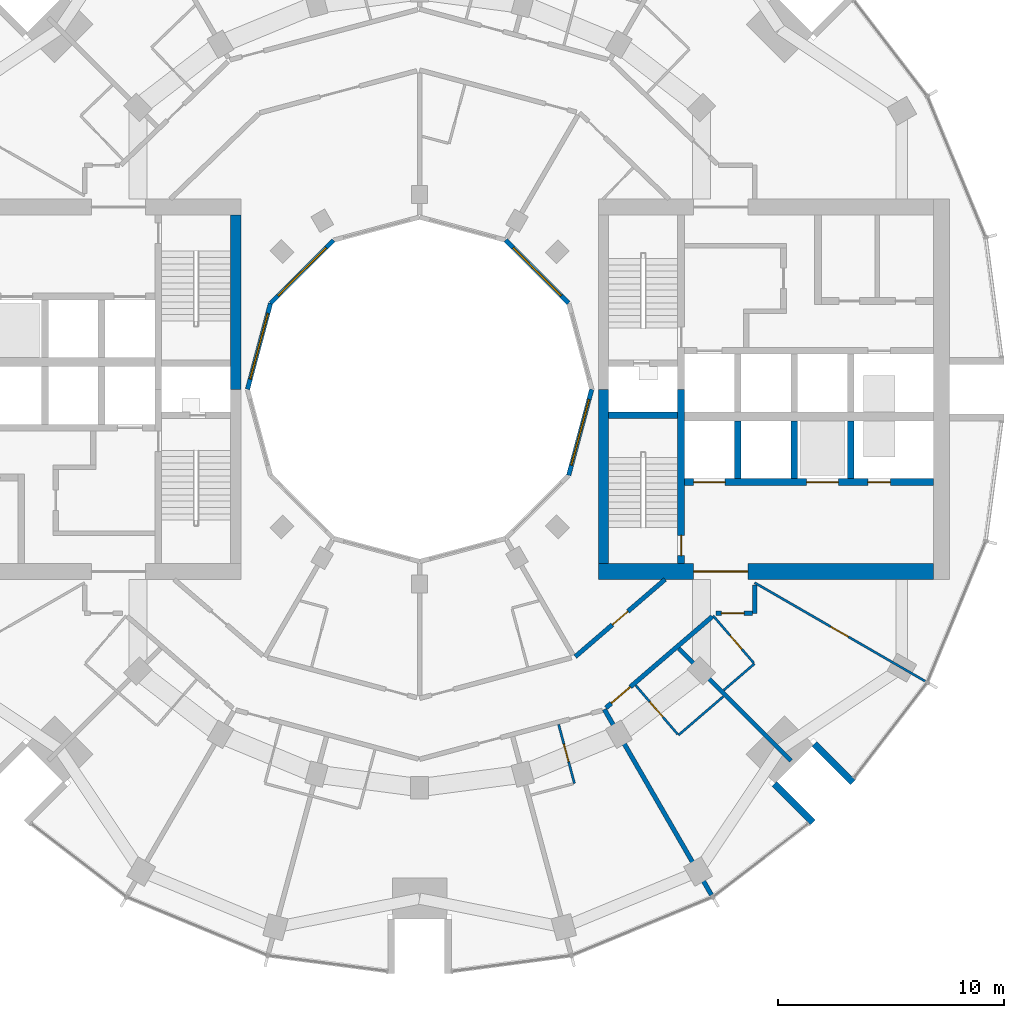
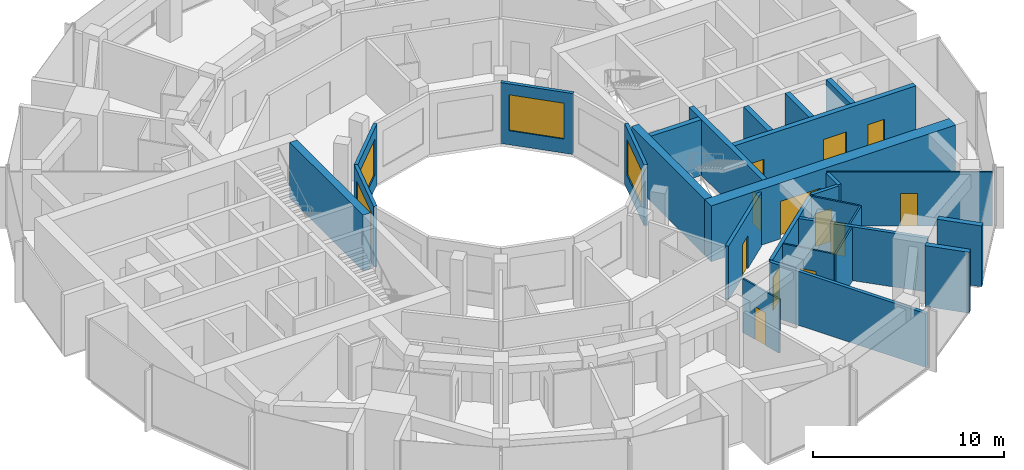
# One storey, part 10 of 15: 27 walls, 12 doors, 4 windows, 16 openings.
"""IFC4 building model written with IfcOpenShell, lengths in metres."""

import ifcopenshell
import ifcopenshell.guid

model = None  # the IFC model being written
_history = None  # IfcOwnerHistory: only IFC2X3 demands one
_inside = {}  # id of a spatial element -> (the spatial element, [elements in it])
_under = {}  # id of a project, library or spatial element -> (it, [spatial elements below it])
_declared = {}  # id of a project -> (the project, [libraries it declares])
_typed = {}  # id of a type object -> (the type object, [elements of that type])
_made_of = {}  # id of a material, layer set ... -> (it, [elements and type objects made of it])


def new_model(schema):
    """Start an empty IFC model of exactly this schema.

    Asked for "IFC4X3", IfcOpenShell would pick the latest addendum, in which some entities
    have other attributes; the version numbers below select the first issue.
    IFC2X3 requires an IfcOwnerHistory on every rooted entity: one is made here for all.
    """
    global model, _history
    if schema == "IFC4X3":
        model = ifcopenshell.file(schema_version=(4, 3, 0, 0))
    else:
        model = ifcopenshell.file(schema=schema)
    _inside.clear()
    _under.clear()
    _declared.clear()
    _typed.clear()
    _made_of.clear()
    _history = None
    if model.schema == "IFC2X3":
        org = make("IfcOrganization", Name="unknown")
        user = make(
            "IfcPersonAndOrganization",
            ThePerson=make("IfcPerson", FamilyName="unknown"),
            TheOrganization=org,
        )
        app = make(
            "IfcApplication",
            ApplicationDeveloper=org,
            Version="unknown",
            ApplicationFullName="unknown",
            ApplicationIdentifier="unknown",
        )
        _history = make(
            "IfcOwnerHistory",
            OwningUser=user,
            OwningApplication=app,
            ChangeAction="ADDED",
            CreationDate=0,
        )
    return model


def make(cls, **values):
    """One entity of the class cls with the attributes given. An attribute that is None is left unset."""
    return model.create_entity(
        cls, **{name: value for name, value in values.items() if value is not None}
    )


def rooted(cls, **values):
    """An entity with a GlobalId (a new one), such as an element, a storey or a relation."""
    return make(cls, GlobalId=ifcopenshell.guid.new(), OwnerHistory=_history, **values)


def si_unit(unit_type, name, prefix=None):
    """IfcSIUnit, for example si_unit("LENGTHUNIT", "METRE", prefix="MILLI")."""
    return make("IfcSIUnit", UnitType=unit_type, Prefix=prefix, Name=name)


def assignment(units):
    """IfcUnitAssignment: the units of a project."""
    return None if units is None else make("IfcUnitAssignment", Units=units)


def point(xyz):
    """IfcCartesianPoint."""
    return None if xyz is None else make("IfcCartesianPoint", Coordinates=xyz)


def direction(xyz):
    """IfcDirection."""
    return None if xyz is None else make("IfcDirection", DirectionRatios=xyz)


def frame(location, z_axis=None, x_axis=None):
    """IfcAxis2Placement3D, a coordinate frame: its origin and axes. An axis left out is left unset."""
    return make(
        "IfcAxis2Placement3D",
        Location=point(location),
        Axis=direction(z_axis),
        RefDirection=direction(x_axis),
    )


def frame_2d(location, x_axis=None):
    """IfcAxis2Placement2D, a coordinate frame in the plane: its origin and x axis."""
    return make(
        "IfcAxis2Placement2D", Location=point(location), RefDirection=direction(x_axis)
    )


def origin():
    """The frame at (0, 0, 0) with its axes left unset."""
    return frame((0.0, 0.0, 0.0))


def place(relative_to, where):
    """IfcLocalPlacement: puts the frame where relative to a parent placement (None: the world)."""
    return make(
        "IfcLocalPlacement", PlacementRelTo=relative_to, RelativePlacement=where
    )


def context(
    kind, dimensions, precision=None, world=None, true_north=None, identifier=None
):
    """IfcGeometricRepresentationContext, for example the 3D "Model" context."""
    return make(
        "IfcGeometricRepresentationContext",
        ContextIdentifier=identifier,
        ContextType=kind,
        CoordinateSpaceDimension=dimensions,
        Precision=precision,
        WorldCoordinateSystem=world,
        TrueNorth=true_north,
    )


def subcontext(parent, identifier, kind, view, scale=None):
    """IfcGeometricRepresentationSubContext, for example "Body" below "Model"."""
    return make(
        "IfcGeometricRepresentationSubContext",
        ContextIdentifier=identifier,
        ContextType=kind,
        ParentContext=parent,
        TargetScale=scale,
        TargetView=view,
    )


def project(units=None, contexts=None):
    """IfcProject with its units and contexts."""
    return rooted(
        "IfcProject",
        Name="project",
        RepresentationContexts=contexts,
        UnitsInContext=assignment(units),
    )


def spatial(cls, under=None, at=None, **own):
    """A site, building, storey or space (cls), placed at a placement, below another one or the project."""
    s = rooted(cls, ObjectPlacement=at, **own)
    if under is not None:
        _under.setdefault(under.id(), (under, []))[1].append(s)
    return s


def profile(cls, at=None, kind="AREA", **sizes):
    """A parametric profile (cls). Its sizes go by their IFC names, for example OverallWidth=200.0."""
    return make(cls, ProfileType=kind, Position=at, **sizes)


def rectangle(**sizes):
    """IfcRectangleProfileDef."""
    return profile("IfcRectangleProfileDef", **sizes)


def extrude(swept, where, along, depth):
    """IfcExtrudedAreaSolid: the profile swept, set in the frame where, extruded along a direction by depth."""
    return make(
        "IfcExtrudedAreaSolid",
        SweptArea=swept,
        Position=where,
        ExtrudedDirection=direction(along),
        Depth=depth,
    )


def shape(context_of_items, identifier, shape_type, items):
    """IfcShapeRepresentation: the items that make up one representation, for example the "Body"."""
    return make(
        "IfcShapeRepresentation",
        ContextOfItems=context_of_items,
        RepresentationIdentifier=identifier,
        RepresentationType=shape_type,
        Items=items,
    )


def material(Name=None, Category=None):
    """IfcMaterial."""
    return make("IfcMaterial", Name=Name, Category=Category)


def layer(
    of_material, thickness, ventilated=None, Name=None, Category=None, Priority=None
):
    """IfcMaterialLayer: one layer of a wall or slab, of a material (None: an air gap)."""
    return make(
        "IfcMaterialLayer",
        Material=of_material,
        LayerThickness=thickness,
        IsVentilated=ventilated,
        Name=Name,
        Category=Category,
        Priority=Priority,
    )


def layer_set(layers, Name=None):
    """IfcMaterialLayerSet."""
    return make("IfcMaterialLayerSet", MaterialLayers=layers, LayerSetName=Name)


def made_of(thing, what):
    """Note that an element or type object is made of a material, layer set ...; save() writes the relation."""
    if what is not None:
        _made_of.setdefault(what.id(), (what, []))[1].append(thing)
    return thing


def type_object(cls, material=None, **own):
    """A type object (cls), such as IfcWallType, which elements share."""
    return made_of(rooted(cls, **own), material)


def element(
    cls,
    number,
    at=None,
    inside=None,
    cuts=None,
    type_object=None,
    material=None,
    context=None,
    identifier="Body",
    shape_type=None,
    held_by="IfcProductDefinitionShape",
    body=None,
    shapes=None,
    **own,
):
    """One element of the class cls, such as IfcWall. Its Tag is "e" and its number.

    at: its placement. inside: the storey or other place that contains it. cuts: it is an
    opening in that element (IfcRelVoidsElement). A single representation is given by context,
    identifier, shape_type and body (its items); several are given by shapes. held_by: the class
    of the entity that holds the representations. save() writes the other relations.
    """
    e = rooted(cls, Tag="e%d" % number, ObjectPlacement=at, **own)
    if body is not None:
        shapes = [shape(context, identifier, shape_type, body)]
    if shapes is not None:
        e.Representation = make(held_by, Representations=shapes)
    if inside is not None:
        _inside.setdefault(inside.id(), (inside, []))[1].append(e)
    if cuts is not None:
        rooted(
            "IfcRelVoidsElement", RelatingBuildingElement=cuts, RelatedOpeningElement=e
        )
    if type_object is not None:
        _typed.setdefault(type_object.id(), (type_object, []))[1].append(e)
    return made_of(e, material)


def fill(opening, filler):
    """IfcRelFillsElement: the door or window that sits in an opening."""
    return rooted(
        "IfcRelFillsElement",
        RelatingOpeningElement=opening,
        RelatedBuildingElement=filler,
    )


def aggregate(whole, parts):
    """IfcRelAggregates: a whole, such as a stair, and the parts it consists of."""
    return rooted("IfcRelAggregates", RelatingObject=whole, RelatedObjects=parts)


def save(model, path):
    """Write the relations noted so far, then the file.

    IfcRelAggregates (storeys below a building ...), IfcRelContainedInSpatialStructure (elements
    in a storey), IfcRelDefinesByType, IfcRelAssociatesMaterial and IfcRelDeclares: one each for
    every whole, place, type object, material and project.
    """
    for whole, parts in _under.values():
        aggregate(whole, parts)
    for where, things in _inside.values():
        rooted(
            "IfcRelContainedInSpatialStructure",
            RelatedElements=things,
            RelatingStructure=where,
        )
    for kind, things in _typed.values():
        rooted("IfcRelDefinesByType", RelatedObjects=things, RelatingType=kind)
    for what, things in _made_of.values():
        rooted("IfcRelAssociatesMaterial", RelatedObjects=things, RelatingMaterial=what)
    for by, libraries in _declared.values():
        rooted("IfcRelDeclares", RelatingContext=by, RelatedDefinitions=libraries)
    model.write(path)


model = new_model("IFC4")

# Units and contexts
model_context = context("Model", 3, precision=1e-05, world=origin(), true_north=direction((0.0, 1.0)))
body_context = subcontext(model_context, "Body", "Model", "MODEL_VIEW")
ifc_project = project(units=[si_unit("LENGTHUNIT", "METRE"), si_unit("AREAUNIT", "SQUARE_METRE"), si_unit("VOLUMEUNIT", "CUBIC_METRE"), si_unit("PLANEANGLEUNIT", "RADIAN"), si_unit("MASSUNIT", "GRAM", prefix="KILO")], contexts=[model_context])

# Site, building, storey
site_placement = place(None, origin())
site = spatial("IfcSite", under=ifc_project, at=site_placement, CompositionType="ELEMENT")
building_placement = place(site_placement, origin())
building = spatial("IfcBuilding", under=site, at=building_placement, Name="Torre Brocal", CompositionType="ELEMENT")
storey_placement = place(building_placement, frame((0.0, 0.0, 118.5)))
storey = spatial("IfcBuildingStorey", under=building, at=storey_placement, Name="L27", CompositionType="ELEMENT", Elevation=118.5)

# Wall, opening, door
ifc_material_1 = material(Name="Concrete C70", Category="concrete")
ifc_layer_1 = layer(ifc_material_1, 0.300048828125)
ifc_layer_set_1 = layer_set([ifc_layer_1], Name="Concrete C70")
wall_type_1 = type_object("IfcWallType", Name="CORE WALL 300 C70", PredefinedType="SHEAR", material=ifc_layer_set_1)
wall_1_placement = place(storey_placement, frame((91.550048828125, 67.300048828125, 0.0), z_axis=(0.0, 0.0, 1.0), x_axis=(0.0, 1.0, 0.0)))
wall_1 = element("IfcWall", 1, at=wall_1_placement, inside=storey, type_object=wall_type_1, Name="Wall CW300-70", PredefinedType="SHEAR", context=body_context, shape_type="SweptSolid", body=[
    extrude(rectangle(XDim=7.699951171875, YDim=0.300048828125, at=frame_2d((3.85009765625, 0.0))), origin(), (0.0, 0.0, 1.0), 3.580078125),
])
opening_1_placement = place(wall_1_placement, frame((0.35009765625, 0.0, 0.0)))
opening_1 = element("IfcOpeningElement", 2, at=opening_1_placement, cuts=wall_1, Name="Opening E-D03", PredefinedType="OPENING", context=body_context, shape_type="SweptSolid", body=[
    extrude(rectangle(XDim=0.89990234375, YDim=2.10009765625, at=frame_2d((0.449951171875, 1.050048828125))), frame((0.0, 0.159912109375, 0.0), z_axis=(0.0, -1.0, 0.0), x_axis=(1.0, 0.0, 0.0)), (0.0, 0.0, 1.0), 0.320068359375),
])
ifc_material_2 = material(Name="Steel A653", Category="steel")
door_type_1 = type_object("IfcDoorType", Name="STAIR DOOR FD120 900X2100", OperationType="SINGLE_SWING_RIGHT", PredefinedType="DOOR", material=ifc_material_2)
door_1_placement = place(opening_1_placement, origin())
door_1 = element("IfcDoor", 3, at=door_1_placement, inside=storey, type_object=door_type_1, Name="Door E-D03", OperationType="SINGLE_SWING_LEFT", OverallHeight=2.10009765625, OverallWidth=0.89990234375, PredefinedType="DOOR", context=body_context, shape_type="SweptSolid", body=[
    extrude(rectangle(XDim=0.89990234375, YDim=2.10009765625, at=frame_2d((0.449951171875, 1.050048828125))), frame((0.0, 0.02490234375, 0.0), z_axis=(0.0, -1.0, 0.0), x_axis=(1.0, 0.0, 0.0)), (0.0, 0.0, 1.0), 0.050048828125),
])
fill(opening_1, door_1)

# Wall
wall_2_placement = place(storey_placement, frame((88.35009765625, 73.85009765625, 0.0), z_axis=(0.0, 0.0, 1.0), x_axis=(1.0, 0.0, 0.0)))
element("IfcWall", 4, at=wall_2_placement, inside=storey, type_object=wall_type_1, Name="Wall CW300-70", PredefinedType="SHEAR", context=body_context, shape_type="SweptSolid", body=[
    extrude(rectangle(XDim=3.0498046875, YDim=0.300048828125, at=frame_2d((1.52490234375, 0.0))), origin(), (0.0, 0.0, 1.0), 3.580078125),
])

# Wall, openings, doors
wall_3_placement = place(storey_placement, frame((91.699951171875, 70.89990234375, 0.0), z_axis=(0.0, 0.0, 1.0), x_axis=(1.0, 0.0, 0.0)))
wall_3 = element("IfcWall", 5, at=wall_3_placement, inside=storey, type_object=wall_type_1, Name="Wall CW300-70", PredefinedType="SHEAR", context=body_context, shape_type="SweptSolid", body=[
    extrude(rectangle(XDim=11.0, YDim=0.300048828125, at=frame_2d((5.5, 0.0))), origin(), (0.0, 0.0, 1.0), 3.580078125),
])
opening_2_placement = place(wall_3_placement, frame((0.39990234375, 0.0, 0.0)))
opening_2 = element("IfcOpeningElement", 6, at=opening_2_placement, cuts=wall_3, Name="Opening LD14", PredefinedType="OPENING", context=body_context, shape_type="SweptSolid", body=[
    extrude(rectangle(XDim=1.39990234375, YDim=2.10009765625, at=frame_2d((0.699951171875, 1.050048828125))), frame((0.0, 0.159912109375, 0.0), z_axis=(0.0, -1.0, 0.0), x_axis=(1.0, 0.0, 0.0)), (0.0, 0.0, 1.0), 0.320068359375),
])
opening_3_placement = place(wall_3_placement, frame((5.39990234375, 0.0, 0.0)))
opening_3 = element("IfcOpeningElement", 7, at=opening_3_placement, cuts=wall_3, Name="Opening LD14", PredefinedType="OPENING", context=body_context, shape_type="SweptSolid", body=[
    extrude(rectangle(XDim=1.39990234375, YDim=2.10009765625, at=frame_2d((0.699951171875, 1.050048828125))), frame((0.0, 0.159912109375, 0.0), z_axis=(0.0, -1.0, 0.0), x_axis=(1.0, 0.0, 0.0)), (0.0, 0.0, 1.0), 0.320068359375),
])
opening_4_placement = place(wall_3_placement, frame((8.10009765625, 0.0, 0.0)))
opening_4 = element("IfcOpeningElement", 8, at=opening_4_placement, cuts=wall_3, Name="Opening LD10", PredefinedType="OPENING", context=body_context, shape_type="SweptSolid", body=[
    extrude(rectangle(XDim=1.0, YDim=2.10009765625, at=frame_2d((0.5, 1.050048828125))), frame((0.0, 0.159912109375, 0.0), z_axis=(0.0, -1.0, 0.0), x_axis=(1.0, 0.0, 0.0)), (0.0, 0.0, 1.0), 0.320068359375),
])
ifc_material_3 = material(Name="Stainless steel AISI 316", Category="steel")
door_type_2 = type_object("IfcDoorType", Name="LIFT LANDING DOOR 1000X2100", OperationType="DOUBLE_DOOR_SLIDING", PredefinedType="DOOR", material=ifc_material_3)
door_2_placement = place(opening_4_placement, origin())
door_2 = element("IfcDoor", 9, at=door_2_placement, inside=storey, type_object=door_type_2, Name="Door LD10", OperationType="DOUBLE_DOOR_SLIDING", OverallHeight=2.10009765625, OverallWidth=1.0, PredefinedType="DOOR", context=body_context, shape_type="SweptSolid", body=[
    extrude(rectangle(XDim=1.0, YDim=2.10009765625, at=frame_2d((0.5, 1.050048828125))), frame((0.0, 0.02490234375, 0.0), z_axis=(0.0, -1.0, 0.0), x_axis=(1.0, 0.0, 0.0)), (0.0, 0.0, 1.0), 0.050048828125),
])
fill(opening_4, door_2)
ifc_material_4 = material(Name="Stainless steel AISI 316", Category="steel")
door_type_3 = type_object("IfcDoorType", Name="LIFT LANDING DOOR 1400X2100", OperationType="DOUBLE_DOOR_SLIDING", PredefinedType="DOOR", material=ifc_material_4)
door_3_placement = place(opening_2_placement, origin())
door_3 = element("IfcDoor", 10, at=door_3_placement, inside=storey, type_object=door_type_3, Name="Door LD14", OperationType="DOUBLE_DOOR_SLIDING", OverallHeight=2.10009765625, OverallWidth=1.39990234375, PredefinedType="DOOR", context=body_context, shape_type="SweptSolid", body=[
    extrude(rectangle(XDim=1.39990234375, YDim=2.10009765625, at=frame_2d((0.699951171875, 1.050048828125))), frame((0.0, 0.02490234375, 0.0), z_axis=(0.0, -1.0, 0.0), x_axis=(1.0, 0.0, 0.0)), (0.0, 0.0, 1.0), 0.050048828125),
])
fill(opening_2, door_3)
door_4_placement = place(opening_3_placement, origin())
door_4 = element("IfcDoor", 11, at=door_4_placement, inside=storey, type_object=door_type_3, Name="Door LD14", OperationType="DOUBLE_DOOR_SLIDING", OverallHeight=2.10009765625, OverallWidth=1.39990234375, PredefinedType="DOOR", context=body_context, shape_type="SweptSolid", body=[
    extrude(rectangle(XDim=1.39990234375, YDim=2.10009765625, at=frame_2d((0.699951171875, 1.050048828125))), frame((0.0, 0.02490234375, 0.0), z_axis=(0.0, -1.0, 0.0), x_axis=(1.0, 0.0, 0.0)), (0.0, 0.0, 1.0), 0.050048828125),
])
fill(opening_3, door_4)

# Walls
for number, where, z_axis, x_axis, name in (
    (12, (94.050048828125, 71.050048828125, 0.0), (0.0, 0.0, 1.0), (0.0, 1.0, 0.0), "Wall CW300-70"),
    (13, (96.550048828125, 71.050048828125, 0.0), (0.0, 0.0, 1.0), (0.0, 1.0, 0.0), "Wall CW300-70"),
    (14, (99.050048828125, 71.050048828125, 0.0), (0.0, 0.0, 1.0), (0.0, 1.0, 0.0), "Wall CW300-70"),
):
    element("IfcWall", number, at=place(storey_placement, frame(where, z_axis=z_axis, x_axis=x_axis)), inside=storey, type_object=wall_type_1, Name=name, PredefinedType="SHEAR", context=body_context, shape_type="SweptSolid", body=[
        extrude(rectangle(XDim=2.550048828125, YDim=0.300048828125, at=frame_2d((1.27490234375, 0.0))), origin(), (0.0, 0.0, 1.0), 3.580078125),
    ])
ifc_material_5 = material(Name="Concrete C70", Category="concrete")
ifc_layer_2 = layer(ifc_material_5, 0.449951171875)
ifc_layer_set_2 = layer_set([ifc_layer_2], Name="Concrete C70")
wall_type_2 = type_object("IfcWallType", Name="CORE WALL 450 C70", PredefinedType="SHEAR", material=ifc_layer_set_2)
for number, where, z_axis, x_axis, name in (
    (15, (88.125, 67.300048828125, 0.0), (0.0, 0.0, 1.0), (0.0, 1.0, 0.0), "Wall CW450-70"),
    (16, (71.875, 82.699951171875, 0.0), (0.0, 0.0, 1.0), (0.0, -1.0, 0.0), "Wall CW450-70"),
):
    element("IfcWall", number, at=place(storey_placement, frame(where, z_axis=z_axis, x_axis=x_axis)), inside=storey, type_object=wall_type_2, Name=name, PredefinedType="SHEAR", context=body_context, shape_type="SweptSolid", body=[
        extrude(rectangle(XDim=7.699951171875, YDim=0.449951171875, at=frame_2d((3.85009765625, 0.0))), origin(), (0.0, 0.0, 1.0), 3.580078125),
    ])

# Wall, opening, door
ifc_material_6 = material(Name="Concrete C70", Category="concrete")
ifc_layer_3 = layer(ifc_material_6, 0.699951171875)
ifc_layer_set_3 = layer_set([ifc_layer_3], Name="Concrete C70")
wall_type_3 = type_object("IfcWallType", Name="CORE WALL 700 C70", PredefinedType="SHEAR", material=ifc_layer_set_3)
wall_4_placement = place(storey_placement, frame((87.89990234375, 66.949951171875, 0.0), z_axis=(0.0, 0.0, 1.0), x_axis=(1.0, 0.0, 0.0)))
wall_4 = element("IfcWall", 17, at=wall_4_placement, inside=storey, type_object=wall_type_3, Name="Wall CW700-70", PredefinedType="SHEAR", context=body_context, shape_type="SweptSolid", body=[
    extrude(rectangle(XDim=14.800048828125, YDim=0.699951171875, at=frame_2d((7.39990234375, 0.0))), origin(), (0.0, 0.0, 1.0), 3.580078125),
])
opening_5_placement = place(wall_4_placement, frame((4.199951171875, 0.0, 0.0)))
opening_5 = element("IfcOpeningElement", 18, at=opening_5_placement, cuts=wall_4, Name="Opening E-D27", PredefinedType="OPENING", context=body_context, shape_type="SweptSolid", body=[
    extrude(rectangle(XDim=2.39990234375, YDim=2.39990234375, at=frame_2d((1.199951171875, 1.199951171875))), frame((0.0, 0.35986328125, 0.0), z_axis=(0.0, -1.0, 0.0), x_axis=(1.0, 0.0, 0.0)), (0.0, 0.0, 1.0), 0.719970703125),
])
ifc_material_7 = material(Name="Steel A653", Category="steel")
door_type_4 = type_object("IfcDoorType", Name="DOUBLE FIRE DOOR FD90 2400X2400", OperationType="DOUBLE_DOOR_SINGLE_SWING", PredefinedType="DOOR", material=ifc_material_7)
door_5_placement = place(opening_5_placement, origin())
door_5 = element("IfcDoor", 19, at=door_5_placement, inside=storey, type_object=door_type_4, Name="Door E-D27", OperationType="DOUBLE_DOOR_SINGLE_SWING", OverallHeight=2.39990234375, OverallWidth=2.39990234375, PredefinedType="DOOR", context=body_context, shape_type="SweptSolid", body=[
    extrude(rectangle(XDim=2.39990234375, YDim=2.39990234375, at=frame_2d((1.199951171875, 1.199951171875))), frame((0.0, 0.02490234375, 0.0), z_axis=(0.0, -1.0, 0.0), x_axis=(1.0, 0.0, 0.0)), (0.0, 0.0, 1.0), 0.050048828125),
])
fill(opening_5, door_5)

# Walls
ifc_material_8 = material(Name="Concrete C70", Category="concrete")
ifc_layer_4 = layer(ifc_material_8, 0.300048828125)
ifc_layer_set_4 = layer_set([ifc_layer_4], Name="Concrete C70")
wall_type_4 = type_object("IfcWallType", Name="NOTCH RETURN WALL 300 C70", PredefinedType="NOTDEFINED", material=ifc_layer_set_4)
for number, where, z_axis, x_axis, name in (
    (20, (95.662353515625, 57.56982421875, 0.0), (0.0, 0.0, 1.0), (0.707106781187, -0.707106781187, 0.0), "NOTCH RETURN WALL"),
    (21, (97.43017578125, 59.337646484375, 0.0), (0.0, 0.0, 1.0), (0.707106781187, -0.707106781187, 0.0), "NOTCH RETURN WALL"),
):
    element("IfcWall", number, at=place(storey_placement, frame(where, z_axis=z_axis, x_axis=x_axis)), inside=storey, type_object=wall_type_4, Name=name, PredefinedType="NOTDEFINED", context=body_context, shape_type="SweptSolid", body=[
        extrude(rectangle(XDim=2.415771484375, YDim=0.300048828125, at=frame_2d((1.2080078125, 0.0))), origin(), (0.0, 0.0, 1.0), 3.89990234375),
    ])

# Wall, opening, door
ifc_material_9 = material(Name="Gypsum board", Category="Gypsum")
ifc_layer_5 = layer(ifc_material_9, 0.10009765625)
ifc_layer_set_5 = layer_set([ifc_layer_5], Name="Gypsum board")
wall_type_5 = type_object("IfcWallType", Name="PARTITION 100", PredefinedType="PARTITIONING", material=ifc_layer_set_5)
wall_5_placement = place(storey_placement, frame((86.139892578125, 60.196044921875, 0.0), z_axis=(0.0, 0.0, 1.0), x_axis=(0.258945475746, -0.965891940432, 0.0)))
wall_5 = element("IfcWall", 22, at=wall_5_placement, inside=storey, type_object=wall_type_5, Name="BATHROOM WALL", PredefinedType="PARTITIONING", context=body_context, shape_type="SweptSolid", body=[
    extrude(rectangle(XDim=2.7001953125, YDim=0.10009765625, at=frame_2d((1.35009765625, 0.0))), origin(), (0.0, 0.0, 1.0), 3.449951171875),
])
opening_6_placement = place(wall_5_placement, frame((0.89990234375, 0.0, 0.0)))
opening_6 = element("IfcOpeningElement", 23, at=opening_6_placement, cuts=wall_5, Name="Opening E01-D25", PredefinedType="OPENING", context=body_context, shape_type="SweptSolid", body=[
    extrude(rectangle(XDim=0.800048828125, YDim=2.10009765625, at=frame_2d((0.39990234375, 1.050048828125))), frame((0.0, 0.06005859375, 0.0), z_axis=(0.0, -1.0, 0.0), x_axis=(1.0, 0.0, 0.0)), (0.0, 0.0, 1.0), 0.1201171875),
])
ifc_material_10 = material(Name="Timber", Category="wood")
door_type_5 = type_object("IfcDoorType", Name="BATHROOM DOOR 800X2100", OperationType="SINGLE_SWING_LEFT", PredefinedType="DOOR", material=ifc_material_10)
door_6_placement = place(opening_6_placement, frame((0.800048828125, 0.0, 0.0), z_axis=(0.0, 0.0, 1.0), x_axis=(-1.0, 0.0, 0.0)))
door_6 = element("IfcDoor", 24, at=door_6_placement, inside=storey, type_object=door_type_5, Name="E01-D25", OperationType="SINGLE_SWING_RIGHT", OverallHeight=2.10009765625, OverallWidth=0.800048828125, PredefinedType="DOOR", context=body_context, shape_type="SweptSolid", body=[
    extrude(rectangle(XDim=0.800048828125, YDim=2.10009765625, at=frame_2d((0.39990234375, 1.050048828125))), frame((0.0, 0.02490234375, 0.0), z_axis=(0.0, -1.0, 0.0), x_axis=(1.0, 0.0, 0.0)), (0.0, 0.0, 1.0), 0.050048828125),
])
fill(opening_6, door_6)

wall_6_placement = place(storey_placement, frame((89.543212890625, 61.9208984375, 0.0), z_axis=(0.0, 0.0, 1.0), x_axis=(0.651996917864, -0.758221616083, 0.0)))
wall_6 = element("IfcWall", 25, at=wall_6_placement, inside=storey, type_object=wall_type_5, Name="BATHROOM WALL", PredefinedType="PARTITIONING", context=body_context, shape_type="SweptSolid", body=[
    extrude(rectangle(XDim=2.849853515625, YDim=0.10009765625, at=frame_2d((1.4248046875, 0.0))), origin(), (0.0, 0.0, 1.0), 3.449951171875),
])
opening_7_placement = place(wall_6_placement, frame((0.949951171875, 0.0, 0.0)))
opening_7 = element("IfcOpeningElement", 26, at=opening_7_placement, cuts=wall_6, Name="Opening E01-D23", PredefinedType="OPENING", context=body_context, shape_type="SweptSolid", body=[
    extrude(rectangle(XDim=0.89990234375, YDim=2.10009765625, at=frame_2d((0.449951171875, 1.050048828125))), frame((0.0, 0.06005859375, 0.0), z_axis=(0.0, -1.0, 0.0), x_axis=(1.0, 0.0, 0.0)), (0.0, 0.0, 1.0), 0.1201171875),
])
ifc_material_11 = material(Name="Timber", Category="wood")
door_type_6 = type_object("IfcDoorType", Name="ACCESSIBLE BATHROOM DOOR 900X2100", OperationType="SINGLE_SWING_LEFT", PredefinedType="DOOR", material=ifc_material_11)
door_7_placement = place(opening_7_placement, origin())
door_7 = element("IfcDoor", 27, at=door_7_placement, inside=storey, type_object=door_type_6, Name="E01-D23", OperationType="SINGLE_SWING_LEFT", OverallHeight=2.10009765625, OverallWidth=0.89990234375, PredefinedType="DOOR", context=body_context, shape_type="SweptSolid", body=[
    extrude(rectangle(XDim=0.89990234375, YDim=2.10009765625, at=frame_2d((0.449951171875, 1.050048828125))), frame((0.0, 0.02490234375, 0.0), z_axis=(0.0, -1.0, 0.0), x_axis=(1.0, 0.0, 0.0)), (0.0, 0.0, 1.0), 0.050048828125),
])
fill(opening_7, door_7)

# Wall
wall_7_placement = place(storey_placement, frame((91.43408203125, 59.721923828125, 0.0), z_axis=(0.0, 0.0, 1.0), x_axis=(0.758076316785, 0.652165851552, 0.0)))
element("IfcWall", 28, at=wall_7_placement, inside=storey, type_object=wall_type_5, Name="BATHROOM WALL", PredefinedType="PARTITIONING", context=body_context, shape_type="SweptSolid", body=[
    extrude(rectangle(XDim=2.616455078125, YDim=0.10009765625, at=frame_2d((1.30810546875, 0.0))), origin(), (0.0, 0.0, 1.0), 3.449951171875),
])

# Wall, opening, door
wall_8_placement = place(storey_placement, frame((92.965087890625, 64.996826171875, 0.0), z_axis=(0.0, 0.0, 1.0), x_axis=(0.652069888227, -0.758158862553, 0.0)))
wall_8 = element("IfcWall", 29, at=wall_8_placement, inside=storey, type_object=wall_type_5, Name="BATHROOM WALL", PredefinedType="PARTITIONING", context=body_context, shape_type="SweptSolid", body=[
    extrude(rectangle(XDim=2.75, YDim=0.10009765625, at=frame_2d((1.375, 0.0))), origin(), (0.0, 0.0, 1.0), 3.449951171875),
])
opening_8_placement = place(wall_8_placement, frame((1.14990234375, 0.0, 0.0)))
opening_8 = element("IfcOpeningElement", 30, at=opening_8_placement, cuts=wall_8, Name="Opening E01-D20", PredefinedType="OPENING", context=body_context, shape_type="SweptSolid", body=[
    extrude(rectangle(XDim=0.800048828125, YDim=2.10009765625, at=frame_2d((0.39990234375, 1.050048828125))), frame((0.0, 0.06005859375, 0.0), z_axis=(0.0, -1.0, 0.0), x_axis=(1.0, 0.0, 0.0)), (0.0, 0.0, 1.0), 0.1201171875),
])
door_8_placement = place(opening_8_placement, frame((0.800048828125, 0.0, 0.0), z_axis=(0.0, 0.0, 1.0), x_axis=(-1.0, 0.0, 0.0)))
door_8 = element("IfcDoor", 31, at=door_8_placement, inside=storey, type_object=door_type_5, Name="E01-D20", OperationType="SINGLE_SWING_LEFT", OverallHeight=2.10009765625, OverallWidth=0.800048828125, PredefinedType="DOOR", context=body_context, shape_type="SweptSolid", body=[
    extrude(rectangle(XDim=0.800048828125, YDim=2.10009765625, at=frame_2d((0.39990234375, 1.050048828125))), frame((0.0, 0.02490234375, 0.0), z_axis=(0.0, -1.0, 0.0), x_axis=(1.0, 0.0, 0.0)), (0.0, 0.0, 1.0), 0.050048828125),
])
fill(opening_8, door_8)

# Wall
wall_9_placement = place(storey_placement, frame((93.434814453125, 61.707275390625, 0.0), z_axis=(0.0, 0.0, 1.0), x_axis=(0.758070495124, 0.652172618578, 0.0)))
element("IfcWall", 32, at=wall_9_placement, inside=storey, type_object=wall_type_5, Name="BATHROOM WALL", PredefinedType="PARTITIONING", context=body_context, shape_type="SweptSolid", body=[
    extrude(rectangle(XDim=1.7890625, YDim=0.10009765625, at=frame_2d((0.89453125, 0.0))), origin(), (0.0, 0.0, 1.0), 3.449951171875),
])

# Wall, opening, door
wall_10_placement = place(storey_placement, frame((94.800048828125, 66.455078125, 0.0), z_axis=(0.0, 0.0, 1.0), x_axis=(0.86602264145, -0.500004784474, 0.0)))
wall_10 = element("IfcWall", 33, at=wall_10_placement, inside=storey, type_object=wall_type_5, Name="ROOM PARTITION", PredefinedType="PARTITIONING", context=body_context, shape_type="SweptSolid", body=[
    extrude(rectangle(XDim=8.7080078125, YDim=0.10009765625, at=frame_2d((4.35400390625, 0.0))), origin(), (0.0, 0.0, 1.0), 3.449951171875),
])
opening_9_placement = place(wall_10_placement, frame((3.87890625, 0.0, 0.0)))
opening_9 = element("IfcOpeningElement", 34, at=opening_9_placement, cuts=wall_10, Name="Opening E01-D21", PredefinedType="OPENING", context=body_context, shape_type="SweptSolid", body=[
    extrude(rectangle(XDim=0.89990234375, YDim=2.10009765625, at=frame_2d((0.449951171875, 1.050048828125))), frame((0.0, 0.06005859375, 0.0), z_axis=(0.0, -1.0, 0.0), x_axis=(1.0, 0.0, 0.0)), (0.0, 0.0, 1.0), 0.1201171875),
])
ifc_material_12 = material(Name="Timber", Category="wood")
door_type_7 = type_object("IfcDoorType", Name="ROOM DOOR 900X2100", OperationType="SINGLE_SWING_LEFT", PredefinedType="DOOR", material=ifc_material_12)
door_9_placement = place(opening_9_placement, origin())
door_9 = element("IfcDoor", 35, at=door_9_placement, inside=storey, type_object=door_type_7, Name="E01-D21", OperationType="SINGLE_SWING_LEFT", OverallHeight=2.10009765625, OverallWidth=0.89990234375, PredefinedType="DOOR", context=body_context, shape_type="SweptSolid", body=[
    extrude(rectangle(XDim=0.89990234375, YDim=2.10009765625, at=frame_2d((0.449951171875, 1.050048828125))), frame((0.0, 0.02490234375, 0.0), z_axis=(0.0, -1.0, 0.0), x_axis=(1.0, 0.0, 0.0)), (0.0, 0.0, 1.0), 0.050048828125),
])
fill(opening_9, door_9)

ifc_material_13 = material(Name="Gypsum board", Category="Gypsum")
ifc_layer_6 = layer(ifc_material_13, 0.199951171875)
ifc_layer_set_6 = layer_set([ifc_layer_6], Name="Gypsum board")
wall_type_6 = type_object("IfcWallType", Name="PARTITION 200 EI60", PredefinedType="PARTITIONING", material=ifc_layer_set_6)
wall_11_placement = place(storey_placement, frame((86.876953125, 63.18896484375, 0.0), z_axis=(0.0, 0.0, 1.0), x_axis=(0.758075808328, 0.652166442581, 0.0)))
wall_11 = element("IfcWall", 36, at=wall_11_placement, inside=storey, type_object=wall_type_6, Name="CORRIDOR WALL", PredefinedType="PARTITIONING", context=body_context, shape_type="SweptSolid", body=[
    extrude(rectangle(XDim=5.23046875, YDim=0.199951171875, at=frame_2d((2.615234375, 0.0))), origin(), (0.0, 0.0, 1.0), 3.449951171875),
])
opening_10_placement = place(wall_11_placement, frame((2.165283203125, 0.0, 0.0)))
opening_10 = element("IfcOpeningElement", 37, at=opening_10_placement, cuts=wall_11, Name="Opening E01-D35", PredefinedType="OPENING", context=body_context, shape_type="SweptSolid", body=[
    extrude(rectangle(XDim=0.89990234375, YDim=2.10009765625, at=frame_2d((0.449951171875, 1.050048828125))), frame((0.0, 0.10986328125, 0.0), z_axis=(0.0, -1.0, 0.0), x_axis=(1.0, 0.0, 0.0)), (0.0, 0.0, 1.0), 0.219970703125),
])
door_10_placement = place(opening_10_placement, origin())
door_10 = element("IfcDoor", 38, at=door_10_placement, inside=storey, type_object=door_type_7, Name="E01-D35", OperationType="SINGLE_SWING_RIGHT", OverallHeight=2.10009765625, OverallWidth=0.89990234375, PredefinedType="DOOR", context=body_context, shape_type="SweptSolid", body=[
    extrude(rectangle(XDim=0.89990234375, YDim=2.10009765625, at=frame_2d((0.449951171875, 1.050048828125))), frame((0.0, 0.02490234375, 0.0), z_axis=(0.0, -1.0, 0.0), x_axis=(1.0, 0.0, 0.0)), (0.0, 0.0, 1.0), 0.050048828125),
])
fill(opening_10, door_10)

wall_12_placement = place(storey_placement, frame((88.234619140625, 60.931396484375, 0.0), z_axis=(0.0, 0.0, 1.0), x_axis=(0.758816241808, 0.651304775945, 0.0)))
wall_12 = element("IfcWall", 39, at=wall_12_placement, inside=storey, type_object=wall_type_6, Name="GUESTROOM CORRIDOR WALL", PredefinedType="PARTITIONING", context=body_context, shape_type="SweptSolid", body=[
    extrude(rectangle(XDim=6.185791015625, YDim=0.199951171875, at=frame_2d((3.0927734375, 0.0))), origin(), (0.0, 0.0, 1.0), 3.449951171875),
])
opening_11_placement = place(wall_12_placement, frame((0.3076171875, 0.0, 0.0)))
opening_11 = element("IfcOpeningElement", 40, at=opening_11_placement, cuts=wall_12, Name="Opening E01-D22", PredefinedType="OPENING", context=body_context, shape_type="SweptSolid", body=[
    extrude(rectangle(XDim=1.10009765625, YDim=2.10009765625, at=frame_2d((0.550048828125, 1.050048828125))), frame((0.0, 0.10986328125, 0.0), z_axis=(0.0, -1.0, 0.0), x_axis=(1.0, 0.0, 0.0)), (0.0, 0.0, 1.0), 0.219970703125),
])
ifc_material_14 = material(Name="Timber", Category="wood")
door_type_8 = type_object("IfcDoorType", Name="ACCESSIBLE ENTRY DOOR FD30S 1100X2100", OperationType="SINGLE_SWING_RIGHT", PredefinedType="DOOR", material=ifc_material_14)
door_11_placement = place(opening_11_placement, frame((1.10009765625, 0.0, 0.0), z_axis=(0.0, 0.0, 1.0), x_axis=(-1.0, 0.0, 0.0)))
door_11 = element("IfcDoor", 41, at=door_11_placement, inside=storey, type_object=door_type_8, Name="E01-D22", OperationType="SINGLE_SWING_LEFT", OverallHeight=2.10009765625, OverallWidth=1.10009765625, PredefinedType="DOOR", context=body_context, shape_type="SweptSolid", body=[
    extrude(rectangle(XDim=1.10009765625, YDim=2.10009765625, at=frame_2d((0.550048828125, 1.050048828125))), frame((0.0, 0.02490234375, 0.0), z_axis=(0.0, -1.0, 0.0), x_axis=(1.0, 0.0, 0.0)), (0.0, 0.0, 1.0), 0.050048828125),
])
fill(opening_11, door_11)

# Walls
wall_13_placement = place(storey_placement, frame((88.1591796875, 60.86279296875, 0.0), z_axis=(0.0, 0.0, 1.0), x_axis=(0.499935840196, -0.866062443296, 0.0)))
element("IfcWall", 42, at=wall_13_placement, inside=storey, type_object=wall_type_6, Name="PARTY PARTITION", PredefinedType="PARTITIONING", context=body_context, shape_type="SweptSolid", body=[
    extrude(rectangle(XDim=9.474853515625, YDim=0.199951171875, at=frame_2d((4.7373046875, 0.0))), origin(), (0.0, 0.0, 1.0), 3.449951171875),
])
wall_14_placement = place(storey_placement, frame((91.44921875, 63.547607421875, 0.0), z_axis=(0.0, 0.0, 1.0), x_axis=(0.706984804638, -0.707228736698, 0.0)))
element("IfcWall", 43, at=wall_14_placement, inside=storey, type_object=wall_type_6, Name="BATHROOM WALL", PredefinedType="PARTITIONING", context=body_context, shape_type="SweptSolid", body=[
    extrude(rectangle(XDim=7.006103515625, YDim=0.199951171875, at=frame_2d((3.5029296875, 0.0))), origin(), (0.0, 0.0, 1.0), 3.449951171875),
])

# Wall, opening, door
wall_15_placement = place(storey_placement, frame((93.0849609375, 65.10009765625, 0.0), z_axis=(0.0, 0.0, 1.0), x_axis=(1.0, 0.0, 0.0)))
wall_15 = element("IfcWall", 44, at=wall_15_placement, inside=storey, type_object=wall_type_6, Name="GUESTROOM CORRIDOR WALL", PredefinedType="PARTITIONING", context=body_context, shape_type="SweptSolid", body=[
    extrude(rectangle(XDim=1.614990234375, YDim=0.199951171875, at=frame_2d((0.8076171875, 0.0))), origin(), (0.0, 0.0, 1.0), 3.449951171875),
])
opening_12_placement = place(wall_15_placement, frame((0.25, 0.0, 0.0)))
opening_12 = element("IfcOpeningElement", 45, at=opening_12_placement, cuts=wall_15, Name="Opening E01-D19", PredefinedType="OPENING", context=body_context, shape_type="SweptSolid", body=[
    extrude(rectangle(XDim=1.0, YDim=2.10009765625, at=frame_2d((0.5, 1.050048828125))), frame((0.0, 0.10986328125, 0.0), z_axis=(0.0, -1.0, 0.0), x_axis=(1.0, 0.0, 0.0)), (0.0, 0.0, 1.0), 0.219970703125),
])
ifc_material_15 = material(Name="Timber", Category="wood")
door_type_9 = type_object("IfcDoorType", Name="FLAT ENTRY DOOR FD30S 1000X2100", OperationType="SINGLE_SWING_RIGHT", PredefinedType="DOOR", material=ifc_material_15)
door_12_placement = place(opening_12_placement, frame((1.0, 0.0, 0.0), z_axis=(0.0, 0.0, 1.0), x_axis=(-1.0, 0.0, 0.0)))
door_12 = element("IfcDoor", 46, at=door_12_placement, inside=storey, type_object=door_type_9, Name="E01-D19", OperationType="SINGLE_SWING_LEFT", OverallHeight=2.10009765625, OverallWidth=1.0, PredefinedType="DOOR", context=body_context, shape_type="SweptSolid", body=[
    extrude(rectangle(XDim=1.0, YDim=2.10009765625, at=frame_2d((0.5, 1.050048828125))), frame((0.0, 0.02490234375, 0.0), z_axis=(0.0, -1.0, 0.0), x_axis=(1.0, 0.0, 0.0)), (0.0, 0.0, 1.0), 0.050048828125),
])
fill(opening_12, door_12)

# Wall
wall_16_placement = place(storey_placement, frame((94.800048828125, 65.10009765625, 0.0), z_axis=(0.0, 0.0, 1.0), x_axis=(0.0, 1.0, 0.0)))
element("IfcWall", 47, at=wall_16_placement, inside=storey, type_object=wall_type_6, Name="GUESTROOM CORRIDOR WALL", PredefinedType="PARTITIONING", context=body_context, shape_type="SweptSolid", body=[
    extrude(rectangle(XDim=1.25, YDim=0.199951171875, at=frame_2d((0.625, 0.0))), origin(), (0.0, 0.0, 1.0), 3.449951171875),
])

# Wall, opening, window
ifc_material_16 = material(Name="Concrete C40", Category="concrete")
ifc_layer_7 = layer(ifc_material_16, 0.199951171875)
ifc_layer_set_7 = layer_set([ifc_layer_7], Name="Concrete C40")
wall_type_7 = type_object("IfcWallType", Name="WELL FACADE WALL 200", PredefinedType="NOTDEFINED", material=ifc_layer_set_7)
wall_17_placement = place(storey_placement, frame((86.5849609375, 78.8017578125, 0.0), z_axis=(0.0, 0.0, 1.0), x_axis=(-0.707106781187, 0.707106781187, 0.0)))
wall_17 = element("IfcWall", 48, at=wall_17_placement, inside=storey, type_object=wall_type_7, Name="WELL FACADE WALL", PredefinedType="NOTDEFINED", context=body_context, shape_type="SweptSolid", body=[
    extrude(rectangle(XDim=3.93603515625, YDim=0.199951171875, at=frame_2d((1.968017578125, 0.0))), origin(), (0.0, 0.0, 1.0), 3.89990234375),
])
opening_13_placement = place(wall_17_placement, frame((0.468017578125, 0.0, 0.89990234375)))
opening_13 = element("IfcOpeningElement", 49, at=opening_13_placement, cuts=wall_17, Name="Opening W1", PredefinedType="OPENING", context=body_context, shape_type="SweptSolid", body=[
    extrude(rectangle(XDim=3.0, YDim=2.300048828125, at=frame_2d((1.5, 1.14990234375))), frame((0.0, 0.10986328125, 0.0), z_axis=(0.0, -1.0, 0.0), x_axis=(1.0, 0.0, 0.0)), (0.0, 0.0, 1.0), 0.219970703125),
])
ifc_material_17 = material(Name="Aluminium and glass", Category="aluminium")
window_type = type_object("IfcWindowType", Name="WELL WINDOW 3000X2300", PartitioningType="SINGLE_PANEL", PredefinedType="WINDOW", material=ifc_material_17)
window_1_placement = place(opening_13_placement, origin())
window_1 = element("IfcWindow", 50, at=window_1_placement, inside=storey, type_object=window_type, Name="WELL WINDOW 3000X2300", OverallHeight=2.300048828125, OverallWidth=3.0, PartitioningType="SINGLE_PANEL", PredefinedType="WINDOW", context=body_context, shape_type="SweptSolid", body=[
    extrude(rectangle(XDim=3.0, YDim=2.300048828125, at=frame_2d((1.5, 1.14990234375))), frame((0.0, 0.030029296875, 0.0), z_axis=(0.0, -1.0, 0.0), x_axis=(1.0, 0.0, 0.0)), (0.0, 0.0, 1.0), 0.06005859375),
])
fill(opening_13, window_1)

wall_18_placement = place(storey_placement, frame((76.1982421875, 81.5849609375, 0.0), z_axis=(0.0, 0.0, 1.0), x_axis=(-0.707106781187, -0.707106781187, 0.0)))
wall_18 = element("IfcWall", 51, at=wall_18_placement, inside=storey, type_object=wall_type_7, Name="WELL FACADE WALL", PredefinedType="NOTDEFINED", context=body_context, shape_type="SweptSolid", body=[
    extrude(rectangle(XDim=3.93603515625, YDim=0.199951171875, at=frame_2d((1.968017578125, 0.0))), origin(), (0.0, 0.0, 1.0), 3.89990234375),
])
opening_14_placement = place(wall_18_placement, frame((0.468017578125, 0.0, 0.89990234375)))
opening_14 = element("IfcOpeningElement", 52, at=opening_14_placement, cuts=wall_18, Name="Opening W1", PredefinedType="OPENING", context=body_context, shape_type="SweptSolid", body=[
    extrude(rectangle(XDim=3.0, YDim=2.300048828125, at=frame_2d((1.5, 1.14990234375))), frame((0.0, 0.10986328125, 0.0), z_axis=(0.0, -1.0, 0.0), x_axis=(1.0, 0.0, 0.0)), (0.0, 0.0, 1.0), 0.219970703125),
])
window_2_placement = place(opening_14_placement, origin())
window_2 = element("IfcWindow", 53, at=window_2_placement, inside=storey, type_object=window_type, Name="WELL WINDOW 3000X2300", OverallHeight=2.300048828125, OverallWidth=3.0, PartitioningType="SINGLE_PANEL", PredefinedType="WINDOW", context=body_context, shape_type="SweptSolid", body=[
    extrude(rectangle(XDim=3.0, YDim=2.300048828125, at=frame_2d((1.5, 1.14990234375))), frame((0.0, 0.030029296875, 0.0), z_axis=(0.0, -1.0, 0.0), x_axis=(1.0, 0.0, 0.0)), (0.0, 0.0, 1.0), 0.06005859375),
])
fill(opening_14, window_2)

wall_19_placement = place(storey_placement, frame((73.4150390625, 78.8017578125, 0.0), z_axis=(0.0, 0.0, 1.0), x_axis=(-0.258789828301, -0.965933654434, 0.0)))
wall_19 = element("IfcWall", 54, at=wall_19_placement, inside=storey, type_object=wall_type_7, Name="WELL FACADE WALL", PredefinedType="NOTDEFINED", context=body_context, shape_type="SweptSolid", body=[
    extrude(rectangle(XDim=3.935791015625, YDim=0.199951171875, at=frame_2d((1.9677734375, 0.0))), origin(), (0.0, 0.0, 1.0), 3.89990234375),
])
opening_15_placement = place(wall_19_placement, frame((0.468017578125, 0.0, 0.89990234375)))
opening_15 = element("IfcOpeningElement", 55, at=opening_15_placement, cuts=wall_19, Name="Opening W1", PredefinedType="OPENING", context=body_context, shape_type="SweptSolid", body=[
    extrude(rectangle(XDim=3.0, YDim=2.300048828125, at=frame_2d((1.5, 1.14990234375))), frame((0.0, 0.10986328125, 0.0), z_axis=(0.0, -1.0, 0.0), x_axis=(1.0, 0.0, 0.0)), (0.0, 0.0, 1.0), 0.219970703125),
])
window_3_placement = place(opening_15_placement, origin())
window_3 = element("IfcWindow", 56, at=window_3_placement, inside=storey, type_object=window_type, Name="WELL WINDOW 3000X2300", OverallHeight=2.300048828125, OverallWidth=3.0, PartitioningType="SINGLE_PANEL", PredefinedType="WINDOW", context=body_context, shape_type="SweptSolid", body=[
    extrude(rectangle(XDim=3.0, YDim=2.300048828125, at=frame_2d((1.5, 1.14990234375))), frame((0.0, 0.030029296875, 0.0), z_axis=(0.0, -1.0, 0.0), x_axis=(1.0, 0.0, 0.0)), (0.0, 0.0, 1.0), 0.06005859375),
])
fill(opening_15, window_3)

wall_20_placement = place(storey_placement, frame((86.5849609375, 71.1982421875, 0.0), z_axis=(0.0, 0.0, 1.0), x_axis=(0.258789828301, 0.965933654434, 0.0)))
wall_20 = element("IfcWall", 57, at=wall_20_placement, inside=storey, type_object=wall_type_7, Name="WELL FACADE WALL", PredefinedType="NOTDEFINED", context=body_context, shape_type="SweptSolid", body=[
    extrude(rectangle(XDim=3.935791015625, YDim=0.199951171875, at=frame_2d((1.9677734375, 0.0))), origin(), (0.0, 0.0, 1.0), 3.89990234375),
])
opening_16_placement = place(wall_20_placement, frame((0.468017578125, 0.0, 0.89990234375)))
opening_16 = element("IfcOpeningElement", 58, at=opening_16_placement, cuts=wall_20, Name="Opening W1", PredefinedType="OPENING", context=body_context, shape_type="SweptSolid", body=[
    extrude(rectangle(XDim=3.0, YDim=2.300048828125, at=frame_2d((1.5, 1.14990234375))), frame((0.0, 0.10986328125, 0.0), z_axis=(0.0, -1.0, 0.0), x_axis=(1.0, 0.0, 0.0)), (0.0, 0.0, 1.0), 0.219970703125),
])
window_4_placement = place(opening_16_placement, origin())
window_4 = element("IfcWindow", 59, at=window_4_placement, inside=storey, type_object=window_type, Name="WELL WINDOW 3000X2300", OverallHeight=2.300048828125, OverallWidth=3.0, PartitioningType="SINGLE_PANEL", PredefinedType="WINDOW", context=body_context, shape_type="SweptSolid", body=[
    extrude(rectangle(XDim=3.0, YDim=2.300048828125, at=frame_2d((1.5, 1.14990234375))), frame((0.0, 0.030029296875, 0.0), z_axis=(0.0, -1.0, 0.0), x_axis=(1.0, 0.0, 0.0)), (0.0, 0.0, 1.0), 0.06005859375),
])
fill(opening_16, window_4)

save(model, "model.ifc")
